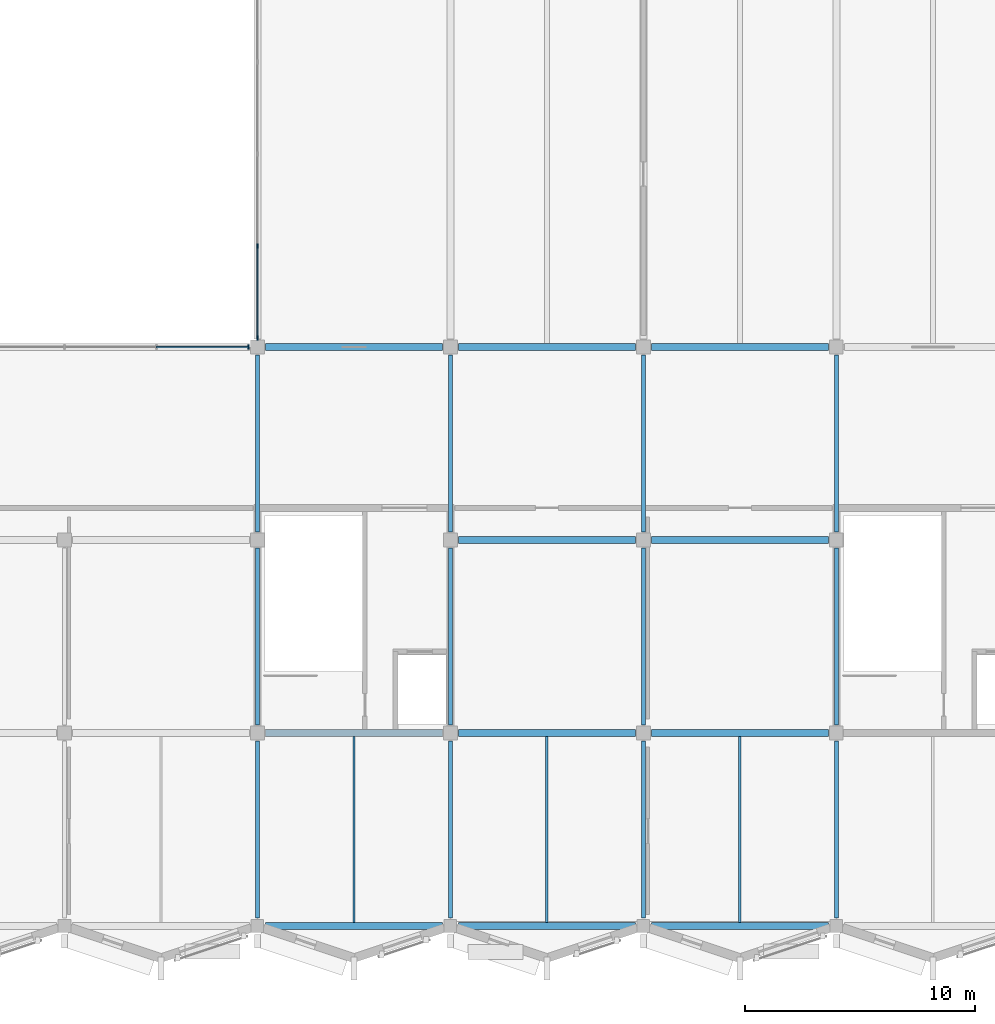
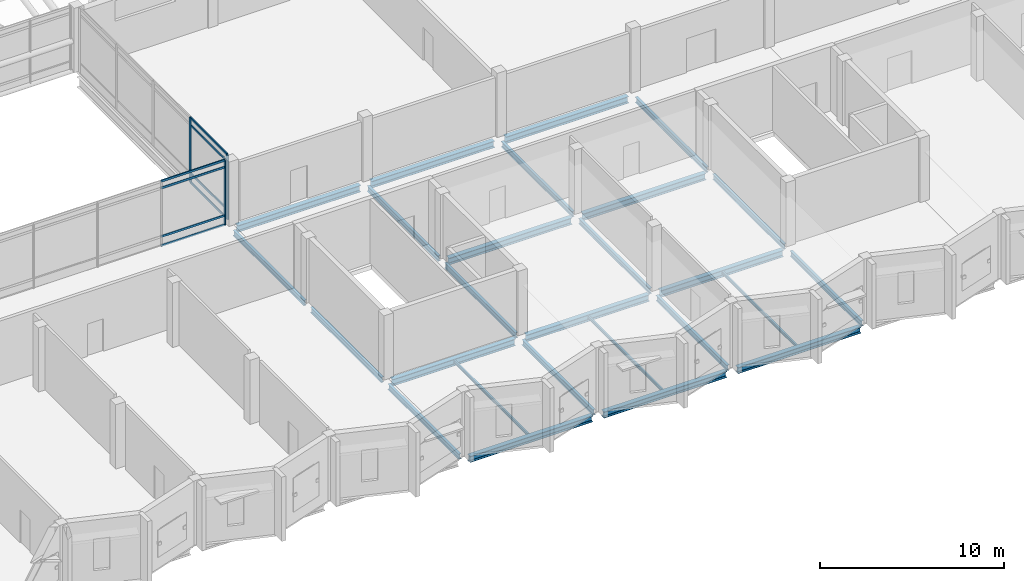
# One storey, part 17 of 81: 26 beams, 11 members, 2 elements without a shape of their own.
"""IFC4 building model written with IfcOpenShell, lengths in metres."""

from ifc_helpers import new_model, si_unit, direction, frame, origin, origin_2d, place, context, subcontext, project, spatial, rectangle, i_section, extrude, material, layer, layer_set, material_profile, profile_set, type_object, element, aggregate, save


model = new_model("IFC4")

# Units and contexts
model_context = context("Model", 3, precision=1e-05, world=origin(), true_north=direction((0.0, 1.0)))
body_context = subcontext(model_context, "Body", "Model", "MODEL_VIEW")
ifc_project = project(units=[si_unit("LENGTHUNIT", "METRE"), si_unit("AREAUNIT", "SQUARE_METRE"), si_unit("VOLUMEUNIT", "CUBIC_METRE"), si_unit("PLANEANGLEUNIT", "RADIAN"), si_unit("MASSUNIT", "GRAM", prefix="KILO")], contexts=[model_context])

# Site, building, storey
site_placement = place(None, origin())
site = spatial("IfcSite", under=ifc_project, at=site_placement, CompositionType="ELEMENT")
building_placement = place(site_placement, origin())
building = spatial("IfcBuilding", under=site, at=building_placement, Name="Qawsi Khor Wholesale Market", CompositionType="ELEMENT")
storey_placement = place(building_placement, frame((0.0, 0.0, 16.199951171875)))
storey = spatial("IfcBuildingStorey", under=building, at=storey_placement, Name="L03", CompositionType="ELEMENT", Elevation=16.199951171875)

# Curtain wall, member
ifc_material_1 = material(Name="Aluminium Anodised Bronze", Category="aluminium")
ifc_layer = layer(ifc_material_1, 0.179931640625, Name="Aluminium Anodised Bronze")
ifc_layer_set = layer_set([ifc_layer], Name="Aluminium Anodised Bronze")
curtain_wall_type = type_object("IfcCurtainWallType", Name="Atrium Full-Height Curtain Wall CW-02", PredefinedType="NOTDEFINED", material=ifc_layer_set)
curtain_wall_1_placement = place(storey_placement, origin())
curtain_wall_1 = element("IfcCurtainWall", 1, at=curtain_wall_1_placement, inside=storey, type_object=curtain_wall_type, Name="Curtain wall CW-CW-02-L03-026", PredefinedType="NOTDEFINED")
ifc_material_profile_1 = material_profile(ifc_material_1, rectangle(XDim=0.070068359375, YDim=0.199951171875, at=origin_2d()), Name="ALU MULLION 70x200")
ifc_profile_set_1 = profile_set([ifc_material_profile_1], Name="Aluminium Anodised Bronze")
member_type_1 = type_object("IfcMemberType", Name="Curtain Wall Mullion CW-02 ALU MULLION 70x200", PredefinedType="MULLION", material=ifc_profile_set_1)
member_1_placement = place(storey_placement, frame((66.804931640625, 25.199951171875, -0.02001953125), z_axis=(0.0, 0.0, 1.0), x_axis=(1.0, 0.0, 0.0)))
member_1 = element("IfcMember", 2, at=member_1_placement, type_object=member_type_1, Name="Mullion CW-CW-02-L03-026-M04", PredefinedType="MULLION", context=body_context, shape_type="SweptSolid", body=[
    extrude(rectangle(XDim=0.070068359375, YDim=0.199951171875, at=origin_2d()), origin(), (0.0, 0.0, 1.0), 4.280029296875),
])

# Curtain wall, members
curtain_wall_2_placement = place(storey_placement, origin())
curtain_wall_2 = element("IfcCurtainWall", 3, at=curtain_wall_2_placement, inside=storey, type_object=curtain_wall_type, Name="Curtain wall CW-CW-02-L03-030", PredefinedType="NOTDEFINED")
member_2_placement = place(storey_placement, frame((67.199951171875, 25.594970703125, -0.02001953125), z_axis=(0.0, 0.0, 1.0), x_axis=(1.0, 0.0, 0.0)))
member_2 = element("IfcMember", 4, at=member_2_placement, type_object=member_type_1, Name="Mullion CW-CW-02-L03-030-M00", PredefinedType="MULLION", context=body_context, shape_type="SweptSolid", body=[
    extrude(rectangle(XDim=0.070068359375, YDim=0.199951171875, at=origin_2d()), origin(), (0.0, 0.0, 1.0), 4.280029296875),
])
member_3_placement = place(storey_placement, frame((67.199951171875, 29.597412109375, -0.02001953125), z_axis=(0.0, 0.0, 1.0), x_axis=(1.0, 0.0, 0.0)))
member_3 = element("IfcMember", 5, at=member_3_placement, type_object=member_type_1, Name="Mullion CW-CW-02-L03-030-M01", PredefinedType="MULLION", context=body_context, shape_type="SweptSolid", body=[
    extrude(rectangle(XDim=0.070068359375, YDim=0.199951171875, at=origin_2d()), origin(), (0.0, 0.0, 1.0), 4.280029296875),
])

# Member
ifc_material_profile_2 = material_profile(ifc_material_1, rectangle(XDim=0.06494140625, YDim=0.139892578125, at=origin_2d()), Name="ALU TRANSOM 65x140")
ifc_profile_set_2 = profile_set([ifc_material_profile_2], Name="Aluminium Anodised Bronze")
member_type_2 = type_object("IfcMemberType", Name="Curtain Wall Transom CW-02 ALU TRANSOM 65x140", PredefinedType="USERDEFINED", material=ifc_profile_set_2)
member_4_placement = place(storey_placement, frame((62.802490234375, 25.199951171875, 0.0), z_axis=(1.0, 0.0, 0.0), x_axis=(0.0, 1.0, 0.0)))
member_4 = element("IfcMember", 6, at=member_4_placement, type_object=member_type_2, Name="Transom CW-CW-02-L03-026-T0_03", ObjectType="TRANSOM", PredefinedType="USERDEFINED", context=body_context, shape_type="SweptSolid", body=[
    extrude(rectangle(XDim=0.06494140625, YDim=0.139892578125, at=origin_2d()), origin(), (0.0, 0.0, 1.0), 4.00244140625),
])

member_5_placement = place(storey_placement, frame((62.802490234375, 25.199951171875, 0.60009765625), z_axis=(1.0, 0.0, 0.0), x_axis=(0.0, 1.0, 0.0)))
member_5 = element("IfcMember", 7, at=member_5_placement, type_object=member_type_2, Name="Transom CW-CW-02-L03-026-T1_03", ObjectType="TRANSOM", PredefinedType="USERDEFINED", context=body_context, shape_type="SweptSolid", body=[
    extrude(rectangle(XDim=0.06494140625, YDim=0.139892578125, at=origin_2d()), origin(), (0.0, 0.0, 1.0), 4.00244140625),
])

member_6_placement = place(storey_placement, frame((62.802490234375, 25.199951171875, 3.81005859375), z_axis=(1.0, 0.0, 0.0), x_axis=(0.0, 1.0, 0.0)))
member_6 = element("IfcMember", 8, at=member_6_placement, type_object=member_type_2, Name="Transom CW-CW-02-L03-026-T2_03", ObjectType="TRANSOM", PredefinedType="USERDEFINED", context=body_context, shape_type="SweptSolid", body=[
    extrude(rectangle(XDim=0.06494140625, YDim=0.139892578125, at=origin_2d()), origin(), (0.0, 0.0, 1.0), 4.00244140625),
])

member_7_placement = place(storey_placement, frame((62.802490234375, 25.199951171875, 4.260009765625), z_axis=(1.0, 0.0, 0.0), x_axis=(0.0, 1.0, 0.0)))
member_7 = element("IfcMember", 9, at=member_7_placement, type_object=member_type_2, Name="Transom CW-CW-02-L03-026-T3_03", ObjectType="TRANSOM", PredefinedType="USERDEFINED", context=body_context, shape_type="SweptSolid", body=[
    extrude(rectangle(XDim=0.06494140625, YDim=0.139892578125, at=origin_2d()), origin(), (0.0, 0.0, 1.0), 4.00244140625),
])

aggregate(curtain_wall_1, [member_1, member_4, member_5, member_6, member_7])

member_8_placement = place(storey_placement, frame((67.199951171875, 25.594970703125, 0.0), z_axis=(0.0, 1.0, 0.0), x_axis=(-1.0, 0.0, 0.0)))
member_8 = element("IfcMember", 10, at=member_8_placement, type_object=member_type_2, Name="Transom CW-CW-02-L03-030-T0_00", ObjectType="TRANSOM", PredefinedType="USERDEFINED", context=body_context, shape_type="SweptSolid", body=[
    extrude(rectangle(XDim=0.06494140625, YDim=0.139892578125, at=origin_2d()), origin(), (0.0, 0.0, 1.0), 4.00244140625),
])

member_9_placement = place(storey_placement, frame((67.199951171875, 25.594970703125, 0.60009765625), z_axis=(0.0, 1.0, 0.0), x_axis=(-1.0, 0.0, 0.0)))
member_9 = element("IfcMember", 11, at=member_9_placement, type_object=member_type_2, Name="Transom CW-CW-02-L03-030-T1_00", ObjectType="TRANSOM", PredefinedType="USERDEFINED", context=body_context, shape_type="SweptSolid", body=[
    extrude(rectangle(XDim=0.06494140625, YDim=0.139892578125, at=origin_2d()), origin(), (0.0, 0.0, 1.0), 4.00244140625),
])

member_10_placement = place(storey_placement, frame((67.199951171875, 25.594970703125, 3.81005859375), z_axis=(0.0, 1.0, 0.0), x_axis=(-1.0, 0.0, 0.0)))
member_10 = element("IfcMember", 12, at=member_10_placement, type_object=member_type_2, Name="Transom CW-CW-02-L03-030-T2_00", ObjectType="TRANSOM", PredefinedType="USERDEFINED", context=body_context, shape_type="SweptSolid", body=[
    extrude(rectangle(XDim=0.06494140625, YDim=0.139892578125, at=origin_2d()), origin(), (0.0, 0.0, 1.0), 4.00244140625),
])

member_11_placement = place(storey_placement, frame((67.199951171875, 25.594970703125, 4.260009765625), z_axis=(0.0, 1.0, 0.0), x_axis=(-1.0, 0.0, 0.0)))
member_11 = element("IfcMember", 13, at=member_11_placement, type_object=member_type_2, Name="Transom CW-CW-02-L03-030-T3_00", ObjectType="TRANSOM", PredefinedType="USERDEFINED", context=body_context, shape_type="SweptSolid", body=[
    extrude(rectangle(XDim=0.06494140625, YDim=0.139892578125, at=origin_2d()), origin(), (0.0, 0.0, 1.0), 4.00244140625),
])

aggregate(curtain_wall_2, [member_2, member_3, member_8, member_9, member_10, member_11])

# Beams
ifc_material_2 = material(Name="Steel S355", Category="steel")
ifc_material_profile_3 = material_profile(ifc_material_2, i_section(OverallWidth=0.300048828125, OverallDepth=0.39990234375, WebThickness=0.013427734375, FlangeThickness=0.02392578125, FilletRadius=0.027099609375, at=origin_2d()), Name="HEB 400")
ifc_profile_set_3 = profile_set([ifc_material_profile_3], Name="Steel S355")
beam_type_1 = type_object("IfcBeamType", Name="Heavy Edge Girder HEB 400", PredefinedType="BEAM", material=ifc_profile_set_3)
for number, where, z_axis, x_axis, name in (
    (14, (67.550048828125, 0.0, -0.47998046875), (1.0, 0.0, 0.0), (0.0, 1.0, 0.0), "BM-X-L03-08_+00"),
    (15, (75.949951171875, 0.0, -0.47998046875), (1.0, 0.0, 0.0), (0.0, 1.0, 0.0), "BM-X-L03-09_+00"),
    (16, (84.35009765625, 0.0, -0.47998046875), (1.0, 0.0, 0.0), (0.0, 1.0, 0.0), "BM-X-L03-10_+00"),
):
    element("IfcBeam", number, at=place(storey_placement, frame(where, z_axis=z_axis, x_axis=x_axis)), inside=storey, type_object=beam_type_1, Name=name, PredefinedType="BEAM", context=body_context, shape_type="SweptSolid", body=[
        extrude(i_section(OverallWidth=0.300048828125, OverallDepth=0.39990234375, WebThickness=0.013427734375, FlangeThickness=0.02392578125, FilletRadius=0.027099609375, at=origin_2d()), origin(), (0.0, 0.0, 1.0), 7.699951171875),
    ])
ifc_material_profile_4 = material_profile(ifc_material_2, i_section(OverallWidth=0.300048828125, OverallDepth=0.43994140625, WebThickness=0.011474609375, FlangeThickness=0.02099609375, FilletRadius=0.027099609375, at=origin_2d()), Name="HEA 450")
ifc_profile_set_4 = profile_set([ifc_material_profile_4], Name="Steel S355")
beam_type_2 = type_object("IfcBeamType", Name="Primary Girder HEA 450", PredefinedType="BEAM", material=ifc_profile_set_4)
for number, where, z_axis, x_axis, name in (
    (17, (67.550048828125, 8.39990234375, -0.5), (1.0, 0.0, 0.0), (0.0, 1.0, 0.0), "BM-X-L03-08_+01"),
    (18, (67.550048828125, 25.199951171875, -0.5), (1.0, 0.0, 0.0), (0.0, 1.0, 0.0), "BM-X-L03-08_+03"),
    (19, (75.949951171875, 8.39990234375, -0.5), (1.0, 0.0, 0.0), (0.0, 1.0, 0.0), "BM-X-L03-09_+01"),
    (20, (75.949951171875, 16.800048828125, -0.5), (1.0, 0.0, 0.0), (0.0, 1.0, 0.0), "BM-X-L03-09_+02"),
    (21, (75.949951171875, 25.199951171875, -0.5), (1.0, 0.0, 0.0), (0.0, 1.0, 0.0), "BM-X-L03-09_+03"),
    (22, (84.35009765625, 8.39990234375, -0.5), (1.0, 0.0, 0.0), (0.0, 1.0, 0.0), "BM-X-L03-10_+01"),
    (23, (84.35009765625, 16.800048828125, -0.5), (1.0, 0.0, 0.0), (0.0, 1.0, 0.0), "BM-X-L03-10_+02"),
    (24, (84.35009765625, 25.199951171875, -0.5), (1.0, 0.0, 0.0), (0.0, 1.0, 0.0), "BM-X-L03-10_+03"),
):
    element("IfcBeam", number, at=place(storey_placement, frame(where, z_axis=z_axis, x_axis=x_axis)), inside=storey, type_object=beam_type_2, Name=name, PredefinedType="BEAM", context=body_context, shape_type="SweptSolid", body=[
        extrude(i_section(OverallWidth=0.300048828125, OverallDepth=0.43994140625, WebThickness=0.011474609375, FlangeThickness=0.02099609375, FilletRadius=0.027099609375, at=origin_2d()), origin(), (0.0, 0.0, 1.0), 7.699951171875),
    ])
ifc_material_profile_5 = material_profile(ifc_material_2, i_section(OverallWidth=0.10009765625, OverallDepth=0.199951171875, WebThickness=0.005615234375, FlangeThickness=0.008544921875, FilletRadius=0.011962890625, at=origin_2d()), Name="IPE 200")
ifc_profile_set_5 = profile_set([ifc_material_profile_5], Name="Steel S355")
beam_type_3 = type_object("IfcBeamType", Name="Roof Deck Joist IPE 200", PredefinedType="JOIST", material=ifc_profile_set_5)
for number, where, z_axis, x_axis, name in (
    (25, (71.39990234375, 0.14990234375, -0.3798828125), (0.0, 1.0, 0.0), (-1.0, 0.0, 0.0), "JST-S-L03-08"),
    (26, (79.800048828125, 0.14990234375, -0.3798828125), (0.0, 1.0, 0.0), (-1.0, 0.0, 0.0), "JST-S-L03-09"),
    (27, (88.199951171875, 0.14990234375, -0.3798828125), (0.0, 1.0, 0.0), (-1.0, 0.0, 0.0), "JST-S-L03-10"),
):
    element("IfcBeam", number, at=place(storey_placement, frame(where, z_axis=z_axis, x_axis=x_axis)), inside=storey, type_object=beam_type_3, Name=name, PredefinedType="JOIST", context=body_context, shape_type="SweptSolid", body=[
        extrude(i_section(OverallWidth=0.10009765625, OverallDepth=0.199951171875, WebThickness=0.005615234375, FlangeThickness=0.008544921875, FilletRadius=0.011962890625, at=origin_2d()), origin(), (0.0, 0.0, 1.0), 8.10009765625),
    ])
ifc_material_profile_6 = material_profile(ifc_material_2, i_section(OverallWidth=0.169921875, OverallDepth=0.360107421875, WebThickness=0.008056640625, FlangeThickness=0.0126953125, FilletRadius=0.01806640625, at=origin_2d()), Name="IPE 360")
ifc_profile_set_6 = profile_set([ifc_material_profile_6], Name="Steel S355")
beam_type_4 = type_object("IfcBeamType", Name="Secondary Beam IPE 360", PredefinedType="BEAM", material=ifc_profile_set_6)
for number, where, z_axis, x_axis, name in (
    (28, (67.199951171875, 0.35009765625, -0.4599609375), (0.0, 1.0, 0.0), (-1.0, 0.0, 0.0), "BM-Y-L03-08_+00"),
    (29, (67.199951171875, 8.75, -0.4599609375), (0.0, 1.0, 0.0), (-1.0, 0.0, 0.0), "BM-Y-L03-08_+01"),
):
    element("IfcBeam", number, at=place(storey_placement, frame(where, z_axis=z_axis, x_axis=x_axis)), inside=storey, type_object=beam_type_4, Name=name, PredefinedType="BEAM", context=body_context, shape_type="SweptSolid", body=[
        extrude(i_section(OverallWidth=0.169921875, OverallDepth=0.360107421875, WebThickness=0.008056640625, FlangeThickness=0.0126953125, FilletRadius=0.01806640625, at=origin_2d()), origin(), (0.0, 0.0, 1.0), 7.699951171875),
    ])
beam_1_placement = place(storey_placement, frame((67.199951171875, 17.14990234375, -0.4599609375), z_axis=(0.0, 1.0, 0.0), x_axis=(-1.0, 0.0, 0.0)))
element("IfcBeam", 30, at=beam_1_placement, inside=storey, type_object=beam_type_4, Name="BM-Y-L03-08_+02", PredefinedType="BEAM", context=body_context, shape_type="SweptSolid", body=[
    extrude(i_section(OverallWidth=0.169921875, OverallDepth=0.360107421875, WebThickness=0.008056640625, FlangeThickness=0.0126953125, FilletRadius=0.01806640625, at=origin_2d()), origin(), (0.0, 0.0, 1.0), 7.7001953125),
])
for number, where, z_axis, x_axis, name in (
    (31, (75.60009765625, 0.35009765625, -0.4599609375), (0.0, 1.0, 0.0), (-1.0, 0.0, 0.0), "BM-Y-L03-09_+00"),
    (32, (75.60009765625, 8.75, -0.4599609375), (0.0, 1.0, 0.0), (-1.0, 0.0, 0.0), "BM-Y-L03-09_+01"),
):
    element("IfcBeam", number, at=place(storey_placement, frame(where, z_axis=z_axis, x_axis=x_axis)), inside=storey, type_object=beam_type_4, Name=name, PredefinedType="BEAM", context=body_context, shape_type="SweptSolid", body=[
        extrude(i_section(OverallWidth=0.169921875, OverallDepth=0.360107421875, WebThickness=0.008056640625, FlangeThickness=0.0126953125, FilletRadius=0.01806640625, at=origin_2d()), origin(), (0.0, 0.0, 1.0), 7.699951171875),
    ])
beam_2_placement = place(storey_placement, frame((75.60009765625, 17.14990234375, -0.4599609375), z_axis=(0.0, 1.0, 0.0), x_axis=(-1.0, 0.0, 0.0)))
element("IfcBeam", 33, at=beam_2_placement, inside=storey, type_object=beam_type_4, Name="BM-Y-L03-09_+02", PredefinedType="BEAM", context=body_context, shape_type="SweptSolid", body=[
    extrude(i_section(OverallWidth=0.169921875, OverallDepth=0.360107421875, WebThickness=0.008056640625, FlangeThickness=0.0126953125, FilletRadius=0.01806640625, at=origin_2d()), origin(), (0.0, 0.0, 1.0), 7.7001953125),
])
for number, where, z_axis, x_axis, name in (
    (34, (84.0, 0.35009765625, -0.4599609375), (0.0, 1.0, 0.0), (-1.0, 0.0, 0.0), "BM-Y-L03-10_+00"),
    (35, (84.0, 8.75, -0.4599609375), (0.0, 1.0, 0.0), (-1.0, 0.0, 0.0), "BM-Y-L03-10_+01"),
):
    element("IfcBeam", number, at=place(storey_placement, frame(where, z_axis=z_axis, x_axis=x_axis)), inside=storey, type_object=beam_type_4, Name=name, PredefinedType="BEAM", context=body_context, shape_type="SweptSolid", body=[
        extrude(i_section(OverallWidth=0.169921875, OverallDepth=0.360107421875, WebThickness=0.008056640625, FlangeThickness=0.0126953125, FilletRadius=0.01806640625, at=origin_2d()), origin(), (0.0, 0.0, 1.0), 7.699951171875),
    ])
beam_3_placement = place(storey_placement, frame((84.0, 17.14990234375, -0.4599609375), z_axis=(0.0, 1.0, 0.0), x_axis=(-1.0, 0.0, 0.0)))
element("IfcBeam", 36, at=beam_3_placement, inside=storey, type_object=beam_type_4, Name="BM-Y-L03-10_+02", PredefinedType="BEAM", context=body_context, shape_type="SweptSolid", body=[
    extrude(i_section(OverallWidth=0.169921875, OverallDepth=0.360107421875, WebThickness=0.008056640625, FlangeThickness=0.0126953125, FilletRadius=0.01806640625, at=origin_2d()), origin(), (0.0, 0.0, 1.0), 7.7001953125),
])
for number, where, z_axis, x_axis, name in (
    (37, (92.39990234375, 0.35009765625, -0.4599609375), (0.0, 1.0, 0.0), (-1.0, 0.0, 0.0), "BM-Y-L03-11_+00"),
    (38, (92.39990234375, 8.75, -0.4599609375), (0.0, 1.0, 0.0), (-1.0, 0.0, 0.0), "BM-Y-L03-11_+01"),
):
    element("IfcBeam", number, at=place(storey_placement, frame(where, z_axis=z_axis, x_axis=x_axis)), inside=storey, type_object=beam_type_4, Name=name, PredefinedType="BEAM", context=body_context, shape_type="SweptSolid", body=[
        extrude(i_section(OverallWidth=0.169921875, OverallDepth=0.360107421875, WebThickness=0.008056640625, FlangeThickness=0.0126953125, FilletRadius=0.01806640625, at=origin_2d()), origin(), (0.0, 0.0, 1.0), 7.699951171875),
    ])
beam_4_placement = place(storey_placement, frame((92.39990234375, 17.14990234375, -0.4599609375), z_axis=(0.0, 1.0, 0.0), x_axis=(-1.0, 0.0, 0.0)))
element("IfcBeam", 39, at=beam_4_placement, inside=storey, type_object=beam_type_4, Name="BM-Y-L03-11_+02", PredefinedType="BEAM", context=body_context, shape_type="SweptSolid", body=[
    extrude(i_section(OverallWidth=0.169921875, OverallDepth=0.360107421875, WebThickness=0.008056640625, FlangeThickness=0.0126953125, FilletRadius=0.01806640625, at=origin_2d()), origin(), (0.0, 0.0, 1.0), 7.7001953125),
])

save(model, "model.ifc")
